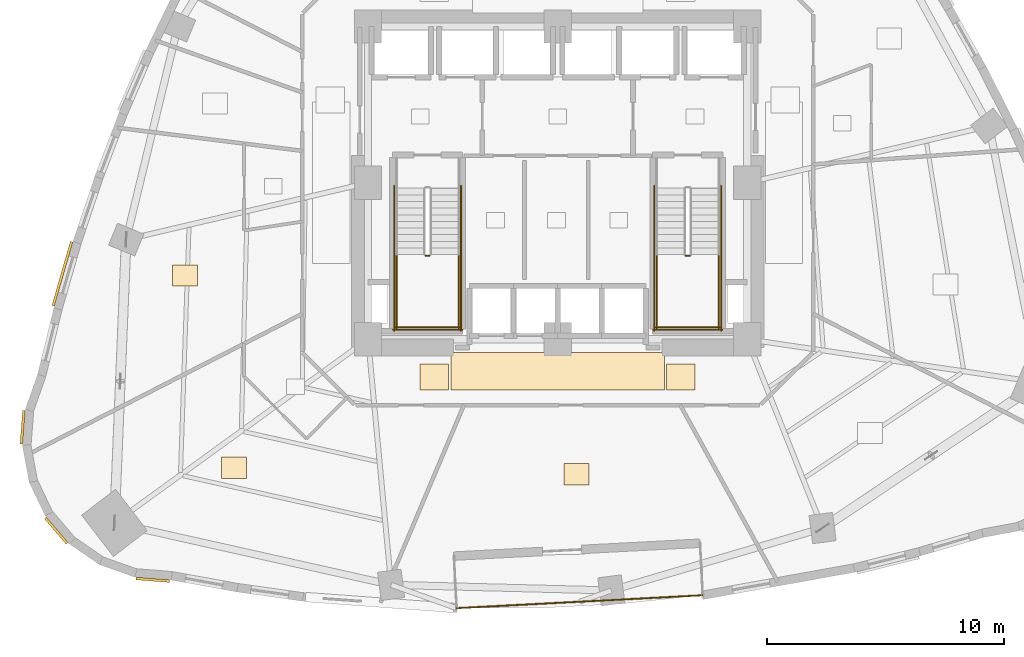
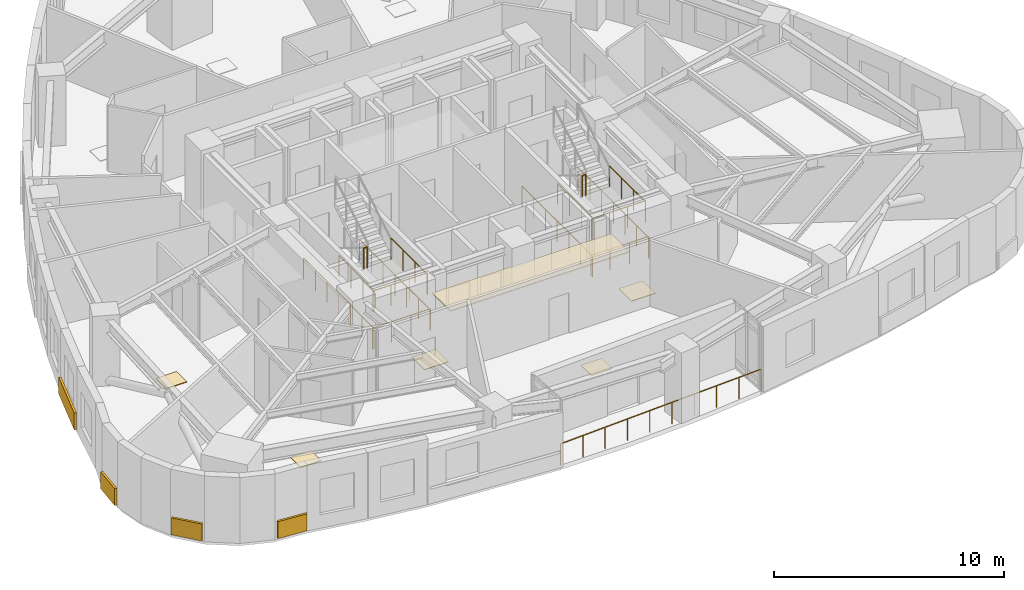
# One storey, part 9 of 11: 15 railings, 10 coverings.
"""IFC4 building model written with IfcOpenShell, lengths in metres."""

from ifc_helpers import new_model, si_unit, direction, frame, origin, origin_2d, place, context, subcontext, project, spatial, rectangle, circle, extrude, material, layer, layer_set, type_object, element, save


model = new_model("IFC4")

# Units and contexts
model_context = context("Model", 3, precision=1e-05, world=origin(), true_north=direction((0.0, 1.0)))
body_context = subcontext(model_context, "Body", "Model", "MODEL_VIEW")
ifc_project = project(units=[si_unit("LENGTHUNIT", "METRE"), si_unit("AREAUNIT", "SQUARE_METRE"), si_unit("VOLUMEUNIT", "CUBIC_METRE"), si_unit("PLANEANGLEUNIT", "RADIAN"), si_unit("MASSUNIT", "GRAM", prefix="KILO")], contexts=[model_context])

# Site, building, storey
site_placement = place(None, origin())
site = spatial("IfcSite", under=ifc_project, at=site_placement, CompositionType="ELEMENT")
building_placement = place(site_placement, origin())
building = spatial("IfcBuilding", under=site, at=building_placement, Name="Ndelora Gate Hotel", CompositionType="ELEMENT")
storey_placement = place(building_placement, frame((0.0, 0.0, 49.25)))
storey = spatial("IfcBuildingStorey", under=building, at=storey_placement, Name="L11", CompositionType="ELEMENT", Elevation=49.25)

# Coverings
ifc_material_1 = material(Name="Perforated Acoustic Gypsum Board", Category="gypsum")
ifc_layer_1 = layer(ifc_material_1, 0.054931640625)
ifc_layer_set_1 = layer_set([ifc_layer_1], Name="Perforated Acoustic Gypsum Board")
covering_type_1 = type_object("IfcCoveringType", Name="COV-CEIL-AC60", PredefinedType="CEILING", material=ifc_layer_set_1)
covering_1_placement = place(storey_placement, frame((0.0, -7.9599609375, 2.65234375), z_axis=(0.0, 0.0, 1.0), x_axis=(1.0, 0.0, 0.0)))
element("IfcCovering", 1, at=covering_1_placement, inside=storey, type_object=covering_type_1, Name="L11 Guest Corridor Acoustic Ceiling S", PredefinedType="CEILING", context=body_context, shape_type="SweptSolid", body=[
    extrude(rectangle(XDim=9.0, YDim=1.580078125, at=origin_2d()), origin(), (0.0, 0.0, 1.0), 0.054931640625),
])
ifc_material_2 = material(Name="Terracotta Fired Clay Brick Slip Cladding", Category="masonry")
ifc_layer_2 = layer(ifc_material_2, 0.110107421875)
ifc_layer_set_2 = layer_set([ifc_layer_2], Name="Terracotta Fired Clay Brick Slip Cladding")
covering_type_2 = type_object("IfcCoveringType", Name="COV-CLAD-BRK", PredefinedType="CLADDING", material=ifc_layer_set_2)
covering_2_placement = place(storey_placement, frame((-20.9013671875, -3.839111328125, 0.10009765625), z_axis=(0.0, 0.0, 1.0), x_axis=(0.277482336674, 0.960730738987, 0.0)))
element("IfcCovering", 2, at=covering_2_placement, inside=storey, type_object=covering_type_2, Name="L11 Rounded-Corner Brick Cladding Band 19", PredefinedType="CLADDING", context=body_context, shape_type="SweptSolid", body=[
    extrude(rectangle(XDim=2.81103515625, YDim=0.110107421875, at=origin_2d()), origin(), (0.0, 0.0, 1.0), 0.89990234375),
])
for number, where, z_axis, x_axis, name in (
    (3, (-22.57763671875, -10.318603515625, 0.10009765625), (0.0, 0.0, 1.0), (0.078459095728, 0.996917333733, 0.0), "L11 Rounded-Corner Brick Cladding Band 22"),
    (4, (-21.16259765625, -14.67431640625, 0.10009765625), (0.0, 0.0, 1.0), (-0.64944804833, 0.7604059656, 0.0), "L11 Rounded-Corner Brick Cladding Band 25"),
    (5, (-17.081787109375, -16.753662109375, 0.10009765625), (0.0, 0.0, 1.0), (-0.996917333733, 0.078459095728, 0.0), "L11 Rounded-Corner Brick Cladding Band 28"),
):
    element("IfcCovering", number, at=place(storey_placement, frame(where, z_axis=z_axis, x_axis=x_axis)), inside=storey, type_object=covering_type_2, Name=name, PredefinedType="CLADDING", context=body_context, shape_type="SweptSolid", body=[
        extrude(rectangle(XDim=1.4140625, YDim=0.110107421875, at=origin_2d()), origin(), (0.0, 0.0, 1.0), 0.89990234375),
    ])
ifc_material_3 = material(Name="Engineered Highland Oak Parquet", Category="wood")
ifc_layer_3 = layer(ifc_material_3, 0.030029296875)
ifc_layer_set_3 = layer_set([ifc_layer_3], Name="Engineered Highland Oak Parquet")
covering_type_3 = type_object("IfcCoveringType", Name="COV-FLR-PARQ", PredefinedType="FLOORING", material=ifc_layer_set_3)
for number, where, z_axis, x_axis, name in (
    (6, (-15.7294921875, -3.9150390625, 0.0), (0.0, 0.0, 1.0), (1.0, 0.0, 0.0), "L11 Executive King Junior Suite 1401 Oak Parquet Flooring"),
    (7, (-13.653564453125, -12.023681640625, 0.0), (0.0, 0.0, 1.0), (1.0, 0.0, 0.0), "L11 Corner Diplomatic Suite 1402 Oak Parquet Flooring"),
    (8, (0.79541015625, -12.294189453125, 0.0), (0.0, 0.0, 1.0), (1.0, 0.0, 0.0), "L11 Sky Garden Tea Dining Room Oak Parquet Flooring"),
):
    element("IfcCovering", number, at=place(storey_placement, frame(where, z_axis=z_axis, x_axis=x_axis)), inside=storey, type_object=covering_type_3, Name=name, PredefinedType="FLOORING", context=body_context, shape_type="SweptSolid", body=[
        extrude(rectangle(XDim=1.050048828125, YDim=0.89990234375, at=origin_2d()), origin(), (0.0, 0.0, 1.0), 0.030029296875),
    ])
ifc_material_4 = material(Name="Polished Highland Stone Terrazzo", Category="masonry")
ifc_layer_4 = layer(ifc_material_4, 0.034912109375)
ifc_layer_set_4 = layer_set([ifc_layer_4], Name="Polished Highland Stone Terrazzo")
covering_type_4 = type_object("IfcCoveringType", Name="COV-FLR-TERZ", PredefinedType="FLOORING", material=ifc_layer_set_4)
for number, where, z_axis, x_axis, name in (
    (9, (-5.199951171875, -8.199951171875, 0.0), (0.0, 0.0, 1.0), (1.0, 0.0, 0.0), "L11 Corridor Threshold Terrazzo Inlay SW"),
    (10, (5.199951171875, -8.199951171875, 0.0), (0.0, 0.0, 1.0), (1.0, 0.0, 0.0), "L11 Corridor Threshold Terrazzo Inlay SE"),
):
    element("IfcCovering", number, at=place(storey_placement, frame(where, z_axis=z_axis, x_axis=x_axis)), inside=storey, type_object=covering_type_4, Name=name, PredefinedType="FLOORING", context=body_context, shape_type="SweptSolid", body=[
        extrude(rectangle(XDim=1.199951171875, YDim=1.10009765625, at=origin_2d()), origin(), (0.0, 0.0, 1.0), 0.034912109375),
    ])

# Railings
ifc_material_5 = material(Name="Laminated Safety Glass and Bronze Top Rail", Category="glass")
ifc_layer_5 = layer(ifc_material_5, 0.070068359375)
ifc_layer_set_5 = layer_set([ifc_layer_5], Name="Laminated Safety Glass and Bronze Top Rail")
railing_type_1 = type_object("IfcRailingType", Name="RL-BAL-1150", PredefinedType="BALUSTRADE", material=ifc_layer_set_5)
railing_1_placement = place(storey_placement, frame((-4.266357421875, -17.94970703125, 0.0)))
element("IfcRailing", 11, at=railing_1_placement, inside=storey, type_object=railing_type_1, Name="L11 Sky-Garden Loggia Terrace Balustrade", PredefinedType="BALUSTRADE", context=body_context, shape_type="SweptSolid", body=[
    extrude(circle(Radius=0.02392578125, at=origin_2d()), frame((0.0, 0.0, 1.1357421875), z_axis=(0.998630058509, 0.052325961458, 0.0), x_axis=(-0.052325961458, 0.998630058509, 0.0)), (0.0, 0.0, 1.0), 10.39990234375),
    extrude(circle(Radius=0.02099609375, at=origin_2d()), origin(), (0.0, 0.0, 1.0), 1.11181640625),
    extrude(circle(Radius=0.02099609375, at=origin_2d()), frame((1.154052734375, 0.060546875, 0.0)), (0.0, 0.0, 1.0), 1.11181640625),
    extrude(circle(Radius=0.02099609375, at=origin_2d()), frame((2.307861328125, 0.120849609375, 0.0)), (0.0, 0.0, 1.0), 1.11181640625),
    extrude(circle(Radius=0.02099609375, at=origin_2d()), frame((3.4619140625, 0.181396484375, 0.0)), (0.0, 0.0, 1.0), 1.11181640625),
    extrude(circle(Radius=0.02099609375, at=origin_2d()), frame((4.615966796875, 0.241943359375, 0.0)), (0.0, 0.0, 1.0), 1.11181640625),
    extrude(circle(Radius=0.02099609375, at=origin_2d()), frame((5.769775390625, 0.30224609375, 0.0)), (0.0, 0.0, 1.0), 1.11181640625),
    extrude(circle(Radius=0.02099609375, at=origin_2d()), frame((6.923828125, 0.36279296875, 0.0)), (0.0, 0.0, 1.0), 1.11181640625),
    extrude(circle(Radius=0.02099609375, at=origin_2d()), frame((8.077880859375, 0.42333984375, 0.0)), (0.0, 0.0, 1.0), 1.11181640625),
    extrude(circle(Radius=0.02099609375, at=origin_2d()), frame((9.231689453125, 0.483642578125, 0.0)), (0.0, 0.0, 1.0), 1.11181640625),
    extrude(circle(Radius=0.02099609375, at=origin_2d()), frame((10.3857421875, 0.544189453125, 0.0)), (0.0, 0.0, 1.0), 1.11181640625),
])
ifc_material_6 = material(Name="Painted Galvanized Steel Balustrade", Category="steel")
ifc_layer_6 = layer(ifc_material_6, 0.06005859375)
ifc_layer_set_6 = layer_set([ifc_layer_6], Name="Painted Galvanized Steel Balustrade")
railing_type_2 = type_object("IfcRailingType", Name="RL-STAIR-GD", PredefinedType="GUARDRAIL", material=ifc_layer_set_6)
railing_2_placement = place(storey_placement, frame((-5.570068359375, -3.080078125, 1.875)))
element("IfcRailing", 12, at=railing_2_placement, inside=storey, type_object=railing_type_2, Name="L11 ST4 stair guard 2", PredefinedType="GUARDRAIL", context=body_context, shape_type="SweptSolid", body=[
    extrude(circle(Radius=0.02392578125, at=origin_2d()), frame((0.0, 0.0, 1.10595703125), z_axis=(1.0, 0.0, 0.0), x_axis=(0.0, 1.0, 0.0)), (0.0, 0.0, 1.0), 0.16015625),
    extrude(circle(Radius=0.02099609375, at=origin_2d()), origin(), (0.0, 0.0, 1.0), 1.081787109375),
    extrude(circle(Radius=0.02099609375, at=origin_2d()), frame((0.16015625, 0.0, 0.0)), (0.0, 0.0, 1.0), 1.081787109375),
])
for number, where, name in (
    (13, (-6.800048828125, -3.030029296875, 1.875), "L11 ST4 stair guard 3"),
    (14, (-4.179931640625, -3.030029296875, 1.875), "L11 ST4 stair guard 4"),
):
    element("IfcRailing", number, at=place(storey_placement, frame(where)), inside=storey, type_object=railing_type_2, Name=name, PredefinedType="GUARDRAIL", context=body_context, shape_type="SweptSolid", body=[
        extrude(circle(Radius=0.02392578125, at=origin_2d()), frame((0.0, 0.0, 1.10595703125), z_axis=(0.0, -1.0, 0.0), x_axis=(1.0, 0.0, 0.0)), (0.0, 0.0, 1.0), 3.119873046875),
        extrude(circle(Radius=0.02099609375, at=origin_2d()), origin(), (0.0, 0.0, 1.0), 1.081787109375),
        extrude(circle(Radius=0.02099609375, at=origin_2d()), frame((0.0, -1.0400390625, 0.0)), (0.0, 0.0, 1.0), 1.081787109375),
        extrude(circle(Radius=0.02099609375, at=origin_2d()), frame((0.0, -2.079833984375, 0.0)), (0.0, 0.0, 1.0), 1.081787109375),
        extrude(circle(Radius=0.02099609375, at=origin_2d()), frame((0.0, -3.119873046875, 0.0)), (0.0, 0.0, 1.0), 1.081787109375),
    ])
railing_3_placement = place(storey_placement, frame((-6.85009765625, -6.10009765625, 1.875)))
element("IfcRailing", 15, at=railing_3_placement, inside=storey, type_object=railing_type_2, Name="L11 ST4 stair guard 5", PredefinedType="GUARDRAIL", context=body_context, shape_type="SweptSolid", body=[
    extrude(circle(Radius=0.02392578125, at=origin_2d()), frame((0.0, 0.0, 1.10595703125), z_axis=(1.0, 0.0, 0.0), x_axis=(0.0, 1.0, 0.0)), (0.0, 0.0, 1.0), 2.72021484375),
    extrude(circle(Radius=0.02099609375, at=origin_2d()), origin(), (0.0, 0.0, 1.0), 1.081787109375),
    extrude(circle(Radius=0.02099609375, at=origin_2d()), frame((0.90673828125, 0.0, 0.0)), (0.0, 0.0, 1.0), 1.081787109375),
    extrude(circle(Radius=0.02099609375, at=origin_2d()), frame((1.8134765625, 0.0, 0.0)), (0.0, 0.0, 1.0), 1.081787109375),
    extrude(circle(Radius=0.02099609375, at=origin_2d()), frame((2.72021484375, 0.0, 0.0)), (0.0, 0.0, 1.0), 1.081787109375),
])
for number, where, name in (
    (16, (-6.89990234375, -0.1298828125, 0.0), "L11 ST4 stair guard 10"),
    (17, (-4.080078125, -0.1298828125, 0.0), "L11 ST4 stair guard 11"),
):
    element("IfcRailing", number, at=place(storey_placement, frame(where)), inside=storey, type_object=railing_type_2, Name=name, PredefinedType="GUARDRAIL", context=body_context, shape_type="SweptSolid", body=[
        extrude(circle(Radius=0.02392578125, at=origin_2d()), frame((0.0, 0.0, 1.10595703125), z_axis=(0.0, -1.0, 0.0), x_axis=(1.0, 0.0, 0.0)), (0.0, 0.0, 1.0), 6.1201171875),
        extrude(circle(Radius=0.02099609375, at=origin_2d()), origin(), (0.0, 0.0, 1.0), 1.081787109375),
        extrude(circle(Radius=0.02099609375, at=origin_2d()), frame((0.0, -1.02001953125, 0.0)), (0.0, 0.0, 1.0), 1.081787109375),
        extrude(circle(Radius=0.02099609375, at=origin_2d()), frame((0.0, -2.0400390625, 0.0)), (0.0, 0.0, 1.0), 1.081787109375),
        extrude(circle(Radius=0.02099609375, at=origin_2d()), frame((0.0, -3.06005859375, 0.0)), (0.0, 0.0, 1.0), 1.081787109375),
        extrude(circle(Radius=0.02099609375, at=origin_2d()), frame((0.0, -4.080078125, 0.0)), (0.0, 0.0, 1.0), 1.081787109375),
        extrude(circle(Radius=0.02099609375, at=origin_2d()), frame((0.0, -5.10009765625, 0.0)), (0.0, 0.0, 1.0), 1.081787109375),
        extrude(circle(Radius=0.02099609375, at=origin_2d()), frame((0.0, -6.1201171875, 0.0)), (0.0, 0.0, 1.0), 1.081787109375),
    ])
railing_4_placement = place(storey_placement, frame((-6.949951171875, -6.199951171875, 0.0)))
element("IfcRailing", 18, at=railing_4_placement, inside=storey, type_object=railing_type_2, Name="L11 ST4 stair guard 12", PredefinedType="GUARDRAIL", context=body_context, shape_type="SweptSolid", body=[
    extrude(circle(Radius=0.02392578125, at=origin_2d()), frame((0.0, 0.0, 1.10595703125), z_axis=(1.0, 0.0, 0.0), x_axis=(0.0, 1.0, 0.0)), (0.0, 0.0, 1.0), 2.919921875),
    extrude(circle(Radius=0.02099609375, at=origin_2d()), origin(), (0.0, 0.0, 1.0), 1.081787109375),
    extrude(circle(Radius=0.02099609375, at=origin_2d()), frame((0.973388671875, 0.0, 0.0)), (0.0, 0.0, 1.0), 1.081787109375),
    extrude(circle(Radius=0.02099609375, at=origin_2d()), frame((1.946533203125, 0.0, 0.0)), (0.0, 0.0, 1.0), 1.081787109375),
    extrude(circle(Radius=0.02099609375, at=origin_2d()), frame((2.919921875, 0.0, 0.0)), (0.0, 0.0, 1.0), 1.081787109375),
])
railing_5_placement = place(storey_placement, frame((5.409912109375, -3.080078125, 1.875)))
element("IfcRailing", 19, at=railing_5_placement, inside=storey, type_object=railing_type_2, Name="L11 ST5 stair guard 2", PredefinedType="GUARDRAIL", context=body_context, shape_type="SweptSolid", body=[
    extrude(circle(Radius=0.02392578125, at=origin_2d()), frame((0.0, 0.0, 1.10595703125), z_axis=(1.0, 0.0, 0.0), x_axis=(0.0, 1.0, 0.0)), (0.0, 0.0, 1.0), 0.16015625),
    extrude(circle(Radius=0.02099609375, at=origin_2d()), origin(), (0.0, 0.0, 1.0), 1.081787109375),
    extrude(circle(Radius=0.02099609375, at=origin_2d()), frame((0.16015625, 0.0, 0.0)), (0.0, 0.0, 1.0), 1.081787109375),
])
for number, where, name in (
    (20, (4.179931640625, -3.030029296875, 1.875), "L11 ST5 stair guard 3"),
    (21, (6.800048828125, -3.030029296875, 1.875), "L11 ST5 stair guard 4"),
):
    element("IfcRailing", number, at=place(storey_placement, frame(where)), inside=storey, type_object=railing_type_2, Name=name, PredefinedType="GUARDRAIL", context=body_context, shape_type="SweptSolid", body=[
        extrude(circle(Radius=0.02392578125, at=origin_2d()), frame((0.0, 0.0, 1.10595703125), z_axis=(0.0, -1.0, 0.0), x_axis=(1.0, 0.0, 0.0)), (0.0, 0.0, 1.0), 3.119873046875),
        extrude(circle(Radius=0.02099609375, at=origin_2d()), origin(), (0.0, 0.0, 1.0), 1.081787109375),
        extrude(circle(Radius=0.02099609375, at=origin_2d()), frame((0.0, -1.0400390625, 0.0)), (0.0, 0.0, 1.0), 1.081787109375),
        extrude(circle(Radius=0.02099609375, at=origin_2d()), frame((0.0, -2.079833984375, 0.0)), (0.0, 0.0, 1.0), 1.081787109375),
        extrude(circle(Radius=0.02099609375, at=origin_2d()), frame((0.0, -3.119873046875, 0.0)), (0.0, 0.0, 1.0), 1.081787109375),
    ])
railing_6_placement = place(storey_placement, frame((4.1298828125, -6.10009765625, 1.875)))
element("IfcRailing", 22, at=railing_6_placement, inside=storey, type_object=railing_type_2, Name="L11 ST5 stair guard 5", PredefinedType="GUARDRAIL", context=body_context, shape_type="SweptSolid", body=[
    extrude(circle(Radius=0.02392578125, at=origin_2d()), frame((0.0, 0.0, 1.10595703125), z_axis=(1.0, 0.0, 0.0), x_axis=(0.0, 1.0, 0.0)), (0.0, 0.0, 1.0), 2.72021484375),
    extrude(circle(Radius=0.02099609375, at=origin_2d()), origin(), (0.0, 0.0, 1.0), 1.081787109375),
    extrude(circle(Radius=0.02099609375, at=origin_2d()), frame((0.90673828125, 0.0, 0.0)), (0.0, 0.0, 1.0), 1.081787109375),
    extrude(circle(Radius=0.02099609375, at=origin_2d()), frame((1.8134765625, 0.0, 0.0)), (0.0, 0.0, 1.0), 1.081787109375),
    extrude(circle(Radius=0.02099609375, at=origin_2d()), frame((2.72021484375, 0.0, 0.0)), (0.0, 0.0, 1.0), 1.081787109375),
])
for number, where, name in (
    (23, (4.080078125, -0.1298828125, 0.0), "L11 ST5 stair guard 10"),
    (24, (6.89990234375, -0.1298828125, 0.0), "L11 ST5 stair guard 11"),
):
    element("IfcRailing", number, at=place(storey_placement, frame(where)), inside=storey, type_object=railing_type_2, Name=name, PredefinedType="GUARDRAIL", context=body_context, shape_type="SweptSolid", body=[
        extrude(circle(Radius=0.02392578125, at=origin_2d()), frame((0.0, 0.0, 1.10595703125), z_axis=(0.0, -1.0, 0.0), x_axis=(1.0, 0.0, 0.0)), (0.0, 0.0, 1.0), 6.1201171875),
        extrude(circle(Radius=0.02099609375, at=origin_2d()), origin(), (0.0, 0.0, 1.0), 1.081787109375),
        extrude(circle(Radius=0.02099609375, at=origin_2d()), frame((0.0, -1.02001953125, 0.0)), (0.0, 0.0, 1.0), 1.081787109375),
        extrude(circle(Radius=0.02099609375, at=origin_2d()), frame((0.0, -2.0400390625, 0.0)), (0.0, 0.0, 1.0), 1.081787109375),
        extrude(circle(Radius=0.02099609375, at=origin_2d()), frame((0.0, -3.06005859375, 0.0)), (0.0, 0.0, 1.0), 1.081787109375),
        extrude(circle(Radius=0.02099609375, at=origin_2d()), frame((0.0, -4.080078125, 0.0)), (0.0, 0.0, 1.0), 1.081787109375),
        extrude(circle(Radius=0.02099609375, at=origin_2d()), frame((0.0, -5.10009765625, 0.0)), (0.0, 0.0, 1.0), 1.081787109375),
        extrude(circle(Radius=0.02099609375, at=origin_2d()), frame((0.0, -6.1201171875, 0.0)), (0.0, 0.0, 1.0), 1.081787109375),
    ])
railing_7_placement = place(storey_placement, frame((4.030029296875, -6.199951171875, 0.0)))
element("IfcRailing", 25, at=railing_7_placement, inside=storey, type_object=railing_type_2, Name="L11 ST5 stair guard 12", PredefinedType="GUARDRAIL", context=body_context, shape_type="SweptSolid", body=[
    extrude(circle(Radius=0.02392578125, at=origin_2d()), frame((0.0, 0.0, 1.10595703125), z_axis=(1.0, 0.0, 0.0), x_axis=(0.0, 1.0, 0.0)), (0.0, 0.0, 1.0), 2.919921875),
    extrude(circle(Radius=0.02099609375, at=origin_2d()), origin(), (0.0, 0.0, 1.0), 1.081787109375),
    extrude(circle(Radius=0.02099609375, at=origin_2d()), frame((0.973388671875, 0.0, 0.0)), (0.0, 0.0, 1.0), 1.081787109375),
    extrude(circle(Radius=0.02099609375, at=origin_2d()), frame((1.946533203125, 0.0, 0.0)), (0.0, 0.0, 1.0), 1.081787109375),
    extrude(circle(Radius=0.02099609375, at=origin_2d()), frame((2.919921875, 0.0, 0.0)), (0.0, 0.0, 1.0), 1.081787109375),
])

save(model, "model.ifc")
